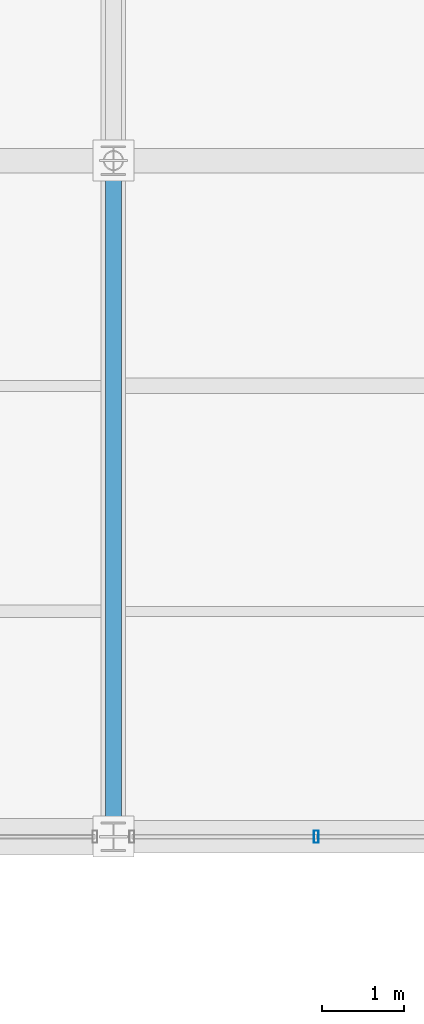
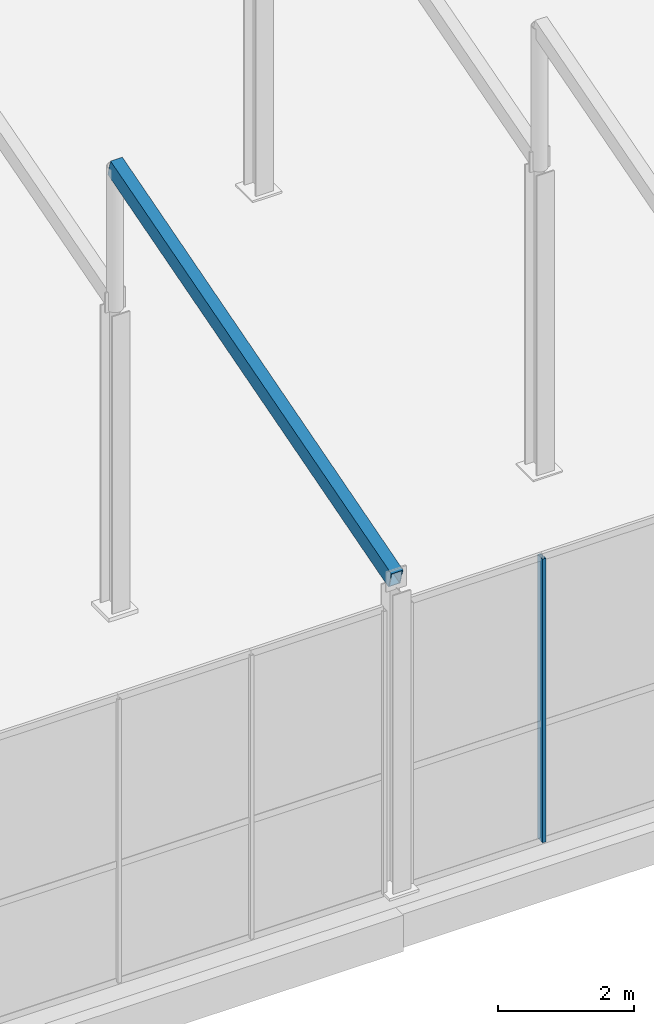
# One storey, part 22 of 141: 2 members, 1 element without a shape of its own.
"""IFC4 building model written with IfcOpenShell, lengths in metres."""

from ifc_helpers import new_model, si_unit, direction, frame, origin, origin_2d, place, context, subcontext, project, spatial, hollow_rectangle, extrude, material, layer, layer_set, material_profile, profile_set, type_object, element, aggregate, save


model = new_model("IFC4")

# Units and contexts
model_context = context("Model", 3, precision=1e-05, world=origin(), true_north=direction((0.0, 1.0)))
body_context = subcontext(model_context, "Body", "Model", "MODEL_VIEW")
ifc_project = project(units=[si_unit("LENGTHUNIT", "METRE"), si_unit("AREAUNIT", "SQUARE_METRE"), si_unit("VOLUMEUNIT", "CUBIC_METRE"), si_unit("PLANEANGLEUNIT", "RADIAN"), si_unit("MASSUNIT", "GRAM", prefix="KILO")], contexts=[model_context])

# Site, building, storey
site_placement = place(None, origin())
site = spatial("IfcSite", under=ifc_project, at=site_placement, CompositionType="ELEMENT")
building_placement = place(site_placement, origin())
building = spatial("IfcBuilding", under=site, at=building_placement, Name="Sundgate Opera House", CompositionType="ELEMENT")
storey_placement = place(building_placement, frame((0.0, 0.0, 11.39990234375)))
storey = spatial("IfcBuildingStorey", under=building, at=storey_placement, Name="L02", CompositionType="ELEMENT", Elevation=11.39990234375)

# Curtain wall, member
ifc_material_1 = material(Name="Anodized aluminium and low-iron glass", Category="aluminium")
ifc_layer = layer(ifc_material_1, 0.14990234375)
ifc_layer_set = layer_set([ifc_layer], Name="Anodized aluminium and low-iron glass")
curtain_wall_type = type_object("IfcCurtainWallType", Name="CW-WORKSHOP-DARK", PredefinedType="NOTDEFINED", material=ifc_layer_set)
curtain_wall_placement = place(storey_placement, origin())
curtain_wall = element("IfcCurtainWall", 1, at=curtain_wall_placement, inside=storey, type_object=curtain_wall_type, Name="L02 Curtain Wall CW156", PredefinedType="NOTDEFINED")
ifc_material_2 = material(Name="Anodized aluminium EN AW-6063", Category="aluminium")
ifc_material_profile_1 = material_profile(ifc_material_2, hollow_rectangle(XDim=0.06005859375, YDim=0.14990234375, WallThickness=0.00390625, at=origin_2d()), Name="CWM 150x60x4")
ifc_profile_set_1 = profile_set([ifc_material_profile_1], Name="Anodized aluminium EN AW-6063")
member_type_1 = type_object("IfcMemberType", Name="CWM-ALU-150x60", PredefinedType="MULLION", material=ifc_profile_set_1)
member_1_placement = place(storey_placement, frame((112.27490234375, 8.25, 0.0), z_axis=(0.0, 0.0, 1.0), x_axis=(1.0, 0.0, 0.0)))
member_1 = element("IfcMember", 2, at=member_1_placement, type_object=member_type_1, Name="CW156 Mullion 3", PredefinedType="MULLION", context=body_context, shape_type="SweptSolid", body=[
    extrude(hollow_rectangle(XDim=0.06005859375, YDim=0.14990234375, WallThickness=0.00390625, at=origin_2d()), origin(), (0.0, 0.0, 1.0), 5.085205078125),
])
aggregate(curtain_wall, [member_1])

# Member
ifc_material_3 = material(Name="Steel S355J2", Category="steel")
ifc_material_profile_2 = material_profile(ifc_material_3, hollow_rectangle(XDim=0.199951171875, YDim=0.300048828125, WallThickness=0.012451171875, at=origin_2d()), Name="RHS 300x200x12.5")
ifc_profile_set_2 = profile_set([ifc_material_profile_2], Name="Steel S355J2")
member_type_2 = type_object("IfcMemberType", Name="MB-CHORD-RHS300", PredefinedType="CHORD", material=ifc_profile_set_2)
member_2_placement = place(storey_placement, frame((109.800048828125, 8.25, 5.550048828125), z_axis=(0.0, 0.96019072379, 0.279345259398), x_axis=(-1.0, 0.0, 0.0)))
element("IfcMember", 3, at=member_2_placement, inside=storey, type_object=member_type_2, Name="L02 Sawtooth Rafter M0385", PredefinedType="CHORD", context=body_context, shape_type="SweptSolid", body=[
    extrude(hollow_rectangle(XDim=0.199951171875, YDim=0.300048828125, WallThickness=0.012451171875, at=origin_2d()), origin(), (0.0, 0.0, 1.0), 8.592041015625),
])

save(model, "model.ifc")
